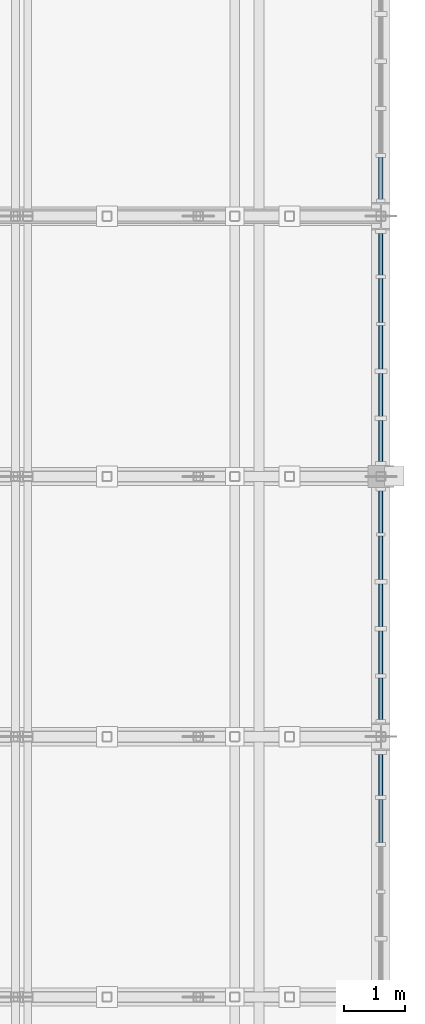
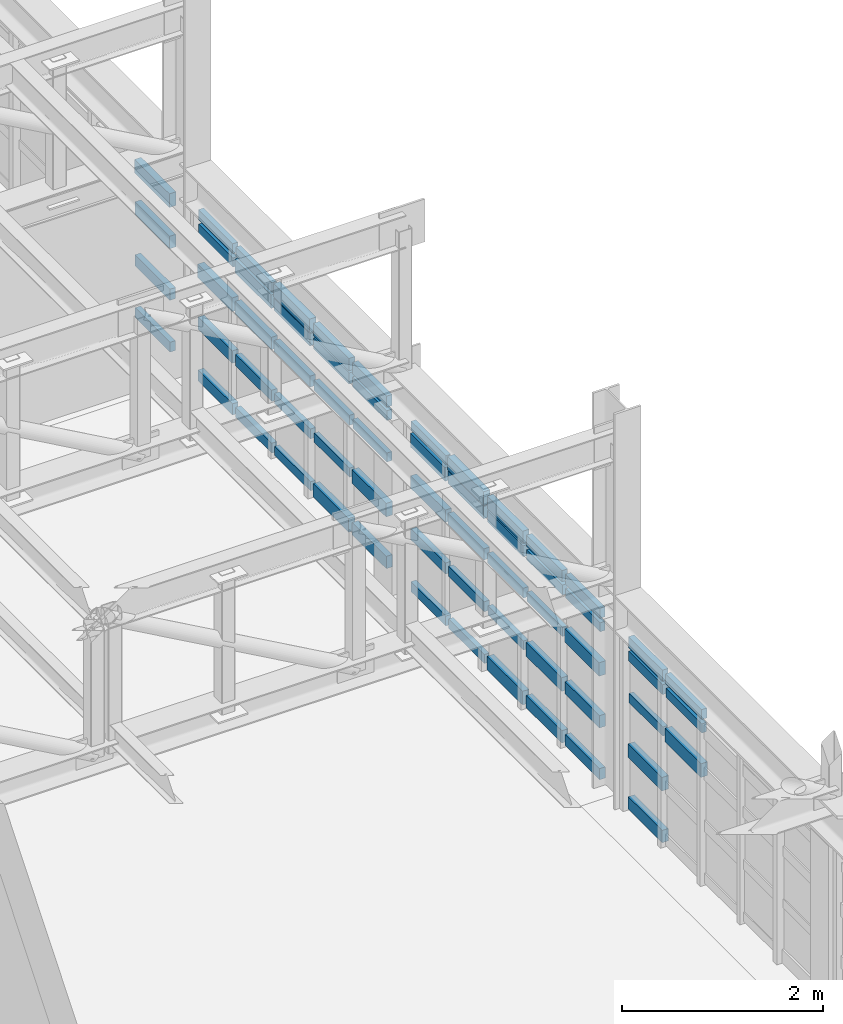
# One storey, part 80 of 128: 62 members, 4 elements without a shape of their own.
"""IFC4 building model written with IfcOpenShell, lengths in metres."""

from ifc_helpers import new_model, si_unit, direction, frame, origin, origin_2d, place, context, subcontext, project, spatial, rectangle, extrude, material, material_profile, profile_set, type_object, element, aggregate, save


model = new_model("IFC4")

# Units and contexts
model_context = context("Model", 3, precision=1e-05, world=origin(), true_north=direction((0.0, 1.0)))
body_context = subcontext(model_context, "Body", "Model", "MODEL_VIEW")
ifc_project = project(units=[si_unit("LENGTHUNIT", "METRE"), si_unit("AREAUNIT", "SQUARE_METRE"), si_unit("VOLUMEUNIT", "CUBIC_METRE"), si_unit("PLANEANGLEUNIT", "RADIAN"), si_unit("MASSUNIT", "GRAM", prefix="KILO")], contexts=[model_context])

# Site, building, storey
site_placement = place(None, origin())
site = spatial("IfcSite", under=ifc_project, at=site_placement, CompositionType="ELEMENT")
building_placement = place(site_placement, origin())
building = spatial("IfcBuilding", under=site, at=building_placement, Name="Serraforn Aerial Cableway Station", CompositionType="ELEMENT")
storey_placement = place(building_placement, frame((0.0, 0.0, 9.0)))
storey = spatial("IfcBuildingStorey", under=building, at=storey_placement, Name="L02", CompositionType="ELEMENT", Elevation=9.0)

# Curtain wall, members
ifc_material_1 = material(Name="Anodised bronze unitised curtain wall")
curtain_wall_type_1 = type_object("IfcCurtainWallType", Name="CW-SYS-2", PredefinedType="USERDEFINED", material=ifc_material_1)
curtain_wall_1_placement = place(storey_placement, origin())
curtain_wall_1 = element("IfcCurtainWall", 1, at=curtain_wall_1_placement, inside=storey, type_object=curtain_wall_type_1, Name="Unitised Curtain Wall CW-EG-L02-E4B", ObjectType="UNITISED CURTAIN WALL", PredefinedType="USERDEFINED")
ifc_material_2 = material(Name="Anodised bronze extruded aluminium", Category="aluminium")
ifc_material_profile_1 = material_profile(ifc_material_2, rectangle(XDim=0.054931640625, YDim=0.110107421875, at=origin_2d()), Name="CW TRANSOM 55x110")
ifc_profile_set_1 = profile_set([ifc_material_profile_1], Name="Anodised bronze extruded aluminium")
member_type_1 = type_object("IfcMemberType", Name="CW-TRN-1", PredefinedType="USERDEFINED", material=ifc_profile_set_1)
member_1_placement = place(storey_placement, frame((168.0, 78.05615234375, 1.865478515625), z_axis=(0.0, 1.0, 0.0), x_axis=(-1.0, 0.0, 0.0)))
member_1 = element("IfcMember", 2, at=member_1_placement, type_object=member_type_1, Name="Curtain Wall Transom CW-EG-L02-E4B-T4-4", ObjectType="TRANSOM", PredefinedType="USERDEFINED", context=body_context, shape_type="SweptSolid", body=[
    extrude(rectangle(XDim=0.054931640625, YDim=0.110107421875, at=origin_2d()), origin(), (0.0, 0.0, 1.0), 0.716064453125),
])
member_2_placement = place(storey_placement, frame((168.0, 78.8330078125, 1.356689453125), z_axis=(0.0, 1.0, 0.0), x_axis=(-1.0, 0.0, 0.0)))
member_2 = element("IfcMember", 3, at=member_2_placement, type_object=member_type_1, Name="Curtain Wall Transom CW-EG-L02-E4B-T5-3", ObjectType="TRANSOM", PredefinedType="USERDEFINED", context=body_context, shape_type="SweptSolid", body=[
    extrude(rectangle(XDim=0.054931640625, YDim=0.110107421875, at=origin_2d()), origin(), (0.0, 0.0, 1.0), 0.676025390625),
])

curtain_wall_type_2 = type_object("IfcCurtainWallType", Name="CW-SYS-5", PredefinedType="USERDEFINED", material=ifc_material_1)
curtain_wall_2_placement = place(storey_placement, origin())
curtain_wall_2 = element("IfcCurtainWall", 4, at=curtain_wall_2_placement, inside=storey, type_object=curtain_wall_type_2, Name="Unitised Curtain Wall CW-EG-L02-E5A", ObjectType="UNITISED CURTAIN WALL", PredefinedType="USERDEFINED")
member_3_placement = place(storey_placement, frame((168.0, 80.0810546875, 1.865478515625), z_axis=(0.0, 1.0, 0.0), x_axis=(-1.0, 0.0, 0.0)))
member_3 = element("IfcMember", 5, at=member_3_placement, type_object=member_type_1, Name="Curtain Wall Transom CW-EG-L02-E5A-T1-4", ObjectType="TRANSOM", PredefinedType="USERDEFINED", context=body_context, shape_type="SweptSolid", body=[
    extrude(rectangle(XDim=0.054931640625, YDim=0.110107421875, at=origin_2d()), origin(), (0.0, 0.0, 1.0), 0.685791015625),
])
member_4_placement = place(storey_placement, frame((168.0, 80.827880859375, 1.356689453125), z_axis=(0.0, 1.0, 0.0), x_axis=(-1.0, 0.0, 0.0)))
member_4 = element("IfcMember", 6, at=member_4_placement, type_object=member_type_1, Name="Curtain Wall Transom CW-EG-L02-E5A-T2-3", ObjectType="TRANSOM", PredefinedType="USERDEFINED", context=body_context, shape_type="SweptSolid", body=[
    extrude(rectangle(XDim=0.054931640625, YDim=0.110107421875, at=origin_2d()), origin(), (0.0, 0.0, 1.0), 0.7109375),
])
member_5_placement = place(storey_placement, frame((168.0, 81.604736328125, 0.720703125), z_axis=(0.0, 1.0, 0.0), x_axis=(-1.0, 0.0, 0.0)))
member_5 = element("IfcMember", 7, at=member_5_placement, type_object=member_type_1, Name="Curtain Wall Transom CW-EG-L02-E5A-T3-2", ObjectType="TRANSOM", PredefinedType="USERDEFINED", context=body_context, shape_type="SweptSolid", body=[
    extrude(rectangle(XDim=0.054931640625, YDim=0.110107421875, at=origin_2d()), origin(), (0.0, 0.0, 1.0), 0.7060546875),
])
member_6_placement = place(storey_placement, frame((168.0, 82.381591796875, 0.084716796875), z_axis=(0.0, 1.0, 0.0), x_axis=(-1.0, 0.0, 0.0)))
member_6 = element("IfcMember", 8, at=member_6_placement, type_object=member_type_1, Name="Curtain Wall Transom CW-EG-L02-E5A-T4-1", ObjectType="TRANSOM", PredefinedType="USERDEFINED", context=body_context, shape_type="SweptSolid", body=[
    extrude(rectangle(XDim=0.054931640625, YDim=0.110107421875, at=origin_2d()), origin(), (0.0, 0.0, 1.0), 0.713623046875),
])
member_7_placement = place(storey_placement, frame((168.0, 83.14599609375, 2.03515625), z_axis=(0.0, 1.0, 0.0), x_axis=(-1.0, 0.0, 0.0)))
member_7 = element("IfcMember", 9, at=member_7_placement, type_object=member_type_1, Name="Curtain Wall Transom CW-EG-L02-E5A-T5-5", ObjectType="TRANSOM", PredefinedType="USERDEFINED", context=body_context, shape_type="SweptSolid", body=[
    extrude(rectangle(XDim=0.054931640625, YDim=0.110107421875, at=origin_2d()), origin(), (0.0, 0.0, 1.0), 0.69091796875),
])

curtain_wall_type_3 = type_object("IfcCurtainWallType", Name="CW-SYS-6", PredefinedType="USERDEFINED", material=ifc_material_1)
curtain_wall_3_placement = place(storey_placement, origin())
curtain_wall_3 = element("IfcCurtainWall", 10, at=curtain_wall_3_placement, inside=storey, type_object=curtain_wall_type_3, Name="Unitised Curtain Wall CW-EG-L02-E5B", ObjectType="UNITISED CURTAIN WALL", PredefinedType="USERDEFINED")
member_8_placement = place(storey_placement, frame((168.0, 84.318115234375, 1.356689453125), z_axis=(0.0, 1.0, 0.0), x_axis=(-1.0, 0.0, 0.0)))
member_8 = element("IfcMember", 11, at=member_8_placement, type_object=member_type_1, Name="Curtain Wall Transom CW-EG-L02-E5B-T1-3", ObjectType="TRANSOM", PredefinedType="USERDEFINED", context=body_context, shape_type="SweptSolid", body=[
    extrude(rectangle(XDim=0.054931640625, YDim=0.110107421875, at=origin_2d()), origin(), (0.0, 0.0, 1.0), 0.67822265625),
])
member_9_placement = place(storey_placement, frame((168.0, 85.0625, 0.720703125), z_axis=(0.0, 1.0, 0.0), x_axis=(-1.0, 0.0, 0.0)))
member_9 = element("IfcMember", 12, at=member_9_placement, type_object=member_type_1, Name="Curtain Wall Transom CW-EG-L02-E5B-T2-2", ObjectType="TRANSOM", PredefinedType="USERDEFINED", context=body_context, shape_type="SweptSolid", body=[
    extrude(rectangle(XDim=0.054931640625, YDim=0.110107421875, at=origin_2d()), origin(), (0.0, 0.0, 1.0), 0.705810546875),
])
member_10_placement = place(storey_placement, frame((168.0, 85.83935546875, 0.084716796875), z_axis=(0.0, 1.0, 0.0), x_axis=(-1.0, 0.0, 0.0)))
member_10 = element("IfcMember", 13, at=member_10_placement, type_object=member_type_1, Name="Curtain Wall Transom CW-EG-L02-E5B-T3-1", ObjectType="TRANSOM", PredefinedType="USERDEFINED", context=body_context, shape_type="SweptSolid", body=[
    extrude(rectangle(XDim=0.054931640625, YDim=0.110107421875, at=origin_2d()), origin(), (0.0, 0.0, 1.0), 0.71337890625),
])
member_11_placement = place(storey_placement, frame((168.0, 86.603759765625, 2.03515625), z_axis=(0.0, 1.0, 0.0), x_axis=(-1.0, 0.0, 0.0)))
member_11 = element("IfcMember", 14, at=member_11_placement, type_object=member_type_1, Name="Curtain Wall Transom CW-EG-L02-E5B-T4-5", ObjectType="TRANSOM", PredefinedType="USERDEFINED", context=body_context, shape_type="SweptSolid", body=[
    extrude(rectangle(XDim=0.054931640625, YDim=0.110107421875, at=origin_2d()), origin(), (0.0, 0.0, 1.0), 0.720947265625),
])
member_12_placement = place(storey_placement, frame((168.0, 87.380615234375, 1.865478515625), z_axis=(0.0, 1.0, 0.0), x_axis=(-1.0, 0.0, 0.0)))
member_12 = element("IfcMember", 15, at=member_12_placement, type_object=member_type_1, Name="Curtain Wall Transom CW-EG-L02-E5B-T5-4", ObjectType="TRANSOM", PredefinedType="USERDEFINED", context=body_context, shape_type="SweptSolid", body=[
    extrude(rectangle(XDim=0.054931640625, YDim=0.110107421875, at=origin_2d()), origin(), (0.0, 0.0, 1.0), 0.683349609375),
])

# Member
ifc_material_profile_2 = material_profile(ifc_material_2, rectangle(XDim=0.06005859375, YDim=0.1201171875, at=origin_2d()), Name="CW TRANSOM 60x120")
ifc_profile_set_2 = profile_set([ifc_material_profile_2], Name="Anodised bronze extruded aluminium")
member_type_2 = type_object("IfcMemberType", Name="CW-TRN-2", PredefinedType="USERDEFINED", material=ifc_profile_set_2)
member_13_placement = place(storey_placement, frame((168.0, 78.05615234375, 2.03515625), z_axis=(0.0, 1.0, 0.0), x_axis=(-1.0, 0.0, 0.0)))
member_13 = element("IfcMember", 16, at=member_13_placement, type_object=member_type_2, Name="Curtain Wall Transom CW-EG-L02-E4B-T4-5", ObjectType="TRANSOM", PredefinedType="USERDEFINED", context=body_context, shape_type="SweptSolid", body=[
    extrude(rectangle(XDim=0.06005859375, YDim=0.1201171875, at=origin_2d()), origin(), (0.0, 0.0, 1.0), 0.716064453125),
])

member_14_placement = place(storey_placement, frame((168.0, 78.8330078125, 1.865478515625), z_axis=(0.0, 1.0, 0.0), x_axis=(-1.0, 0.0, 0.0)))
member_14 = element("IfcMember", 17, at=member_14_placement, type_object=member_type_2, Name="Curtain Wall Transom CW-EG-L02-E4B-T5-4", ObjectType="TRANSOM", PredefinedType="USERDEFINED", context=body_context, shape_type="SweptSolid", body=[
    extrude(rectangle(XDim=0.06005859375, YDim=0.1201171875, at=origin_2d()), origin(), (0.0, 0.0, 1.0), 0.676025390625),
])

member_15_placement = place(storey_placement, frame((168.0, 80.0810546875, 2.03515625), z_axis=(0.0, 1.0, 0.0), x_axis=(-1.0, 0.0, 0.0)))
member_15 = element("IfcMember", 18, at=member_15_placement, type_object=member_type_2, Name="Curtain Wall Transom CW-EG-L02-E5A-T1-5", ObjectType="TRANSOM", PredefinedType="USERDEFINED", context=body_context, shape_type="SweptSolid", body=[
    extrude(rectangle(XDim=0.06005859375, YDim=0.1201171875, at=origin_2d()), origin(), (0.0, 0.0, 1.0), 0.685791015625),
])

member_16_placement = place(storey_placement, frame((168.0, 80.827880859375, 1.865478515625), z_axis=(0.0, 1.0, 0.0), x_axis=(-1.0, 0.0, 0.0)))
member_16 = element("IfcMember", 19, at=member_16_placement, type_object=member_type_2, Name="Curtain Wall Transom CW-EG-L02-E5A-T2-4", ObjectType="TRANSOM", PredefinedType="USERDEFINED", context=body_context, shape_type="SweptSolid", body=[
    extrude(rectangle(XDim=0.06005859375, YDim=0.1201171875, at=origin_2d()), origin(), (0.0, 0.0, 1.0), 0.7109375),
])

member_17_placement = place(storey_placement, frame((168.0, 81.604736328125, 1.356689453125), z_axis=(0.0, 1.0, 0.0), x_axis=(-1.0, 0.0, 0.0)))
member_17 = element("IfcMember", 20, at=member_17_placement, type_object=member_type_2, Name="Curtain Wall Transom CW-EG-L02-E5A-T3-3", ObjectType="TRANSOM", PredefinedType="USERDEFINED", context=body_context, shape_type="SweptSolid", body=[
    extrude(rectangle(XDim=0.06005859375, YDim=0.1201171875, at=origin_2d()), origin(), (0.0, 0.0, 1.0), 0.7060546875),
])

member_18_placement = place(storey_placement, frame((168.0, 82.381591796875, 0.720703125), z_axis=(0.0, 1.0, 0.0), x_axis=(-1.0, 0.0, 0.0)))
member_18 = element("IfcMember", 21, at=member_18_placement, type_object=member_type_2, Name="Curtain Wall Transom CW-EG-L02-E5A-T4-2", ObjectType="TRANSOM", PredefinedType="USERDEFINED", context=body_context, shape_type="SweptSolid", body=[
    extrude(rectangle(XDim=0.06005859375, YDim=0.1201171875, at=origin_2d()), origin(), (0.0, 0.0, 1.0), 0.713623046875),
])

member_19_placement = place(storey_placement, frame((168.0, 83.14599609375, 0.084716796875), z_axis=(0.0, 1.0, 0.0), x_axis=(-1.0, 0.0, 0.0)))
member_19 = element("IfcMember", 22, at=member_19_placement, type_object=member_type_2, Name="Curtain Wall Transom CW-EG-L02-E5A-T5-1", ObjectType="TRANSOM", PredefinedType="USERDEFINED", context=body_context, shape_type="SweptSolid", body=[
    extrude(rectangle(XDim=0.06005859375, YDim=0.1201171875, at=origin_2d()), origin(), (0.0, 0.0, 1.0), 0.69091796875),
])

member_20_placement = place(storey_placement, frame((168.0, 84.318115234375, 1.865478515625), z_axis=(0.0, 1.0, 0.0), x_axis=(-1.0, 0.0, 0.0)))
member_20 = element("IfcMember", 23, at=member_20_placement, type_object=member_type_2, Name="Curtain Wall Transom CW-EG-L02-E5B-T1-4", ObjectType="TRANSOM", PredefinedType="USERDEFINED", context=body_context, shape_type="SweptSolid", body=[
    extrude(rectangle(XDim=0.06005859375, YDim=0.1201171875, at=origin_2d()), origin(), (0.0, 0.0, 1.0), 0.67822265625),
])

member_21_placement = place(storey_placement, frame((168.0, 85.0625, 1.356689453125), z_axis=(0.0, 1.0, 0.0), x_axis=(-1.0, 0.0, 0.0)))
member_21 = element("IfcMember", 24, at=member_21_placement, type_object=member_type_2, Name="Curtain Wall Transom CW-EG-L02-E5B-T2-3", ObjectType="TRANSOM", PredefinedType="USERDEFINED", context=body_context, shape_type="SweptSolid", body=[
    extrude(rectangle(XDim=0.06005859375, YDim=0.1201171875, at=origin_2d()), origin(), (0.0, 0.0, 1.0), 0.705810546875),
])

member_22_placement = place(storey_placement, frame((168.0, 85.83935546875, 0.720703125), z_axis=(0.0, 1.0, 0.0), x_axis=(-1.0, 0.0, 0.0)))
member_22 = element("IfcMember", 25, at=member_22_placement, type_object=member_type_2, Name="Curtain Wall Transom CW-EG-L02-E5B-T3-2", ObjectType="TRANSOM", PredefinedType="USERDEFINED", context=body_context, shape_type="SweptSolid", body=[
    extrude(rectangle(XDim=0.06005859375, YDim=0.1201171875, at=origin_2d()), origin(), (0.0, 0.0, 1.0), 0.71337890625),
])

member_23_placement = place(storey_placement, frame((168.0, 86.603759765625, 0.084716796875), z_axis=(0.0, 1.0, 0.0), x_axis=(-1.0, 0.0, 0.0)))
member_23 = element("IfcMember", 26, at=member_23_placement, type_object=member_type_2, Name="Curtain Wall Transom CW-EG-L02-E5B-T4-1", ObjectType="TRANSOM", PredefinedType="USERDEFINED", context=body_context, shape_type="SweptSolid", body=[
    extrude(rectangle(XDim=0.06005859375, YDim=0.1201171875, at=origin_2d()), origin(), (0.0, 0.0, 1.0), 0.720947265625),
])

member_24_placement = place(storey_placement, frame((168.0, 87.380615234375, 2.03515625), z_axis=(0.0, 1.0, 0.0), x_axis=(-1.0, 0.0, 0.0)))
member_24 = element("IfcMember", 27, at=member_24_placement, type_object=member_type_2, Name="Curtain Wall Transom CW-EG-L02-E5B-T5-5", ObjectType="TRANSOM", PredefinedType="USERDEFINED", context=body_context, shape_type="SweptSolid", body=[
    extrude(rectangle(XDim=0.06005859375, YDim=0.1201171875, at=origin_2d()), origin(), (0.0, 0.0, 1.0), 0.683349609375),
])

# Curtain wall, member
curtain_wall_type_4 = type_object("IfcCurtainWallType", Name="CW-SYS-9", PredefinedType="USERDEFINED", material=ifc_material_1)
curtain_wall_4_placement = place(storey_placement, origin())
curtain_wall_4 = element("IfcCurtainWall", 28, at=curtain_wall_4_placement, inside=storey, type_object=curtain_wall_type_4, Name="Unitised Curtain Wall CW-EG-L02-E6A", ObjectType="UNITISED CURTAIN WALL", PredefinedType="USERDEFINED")
member_25_placement = place(storey_placement, frame((168.0, 88.6259765625, 0.084716796875), z_axis=(0.0, 1.0, 0.0), x_axis=(-1.0, 0.0, 0.0)))
member_25 = element("IfcMember", 29, at=member_25_placement, type_object=member_type_2, Name="Curtain Wall Transom CW-EG-L02-E6A-T1-1", ObjectType="TRANSOM", PredefinedType="USERDEFINED", context=body_context, shape_type="SweptSolid", body=[
    extrude(rectangle(XDim=0.06005859375, YDim=0.1201171875, at=origin_2d()), origin(), (0.0, 0.0, 1.0), 0.693359375),
])

# Member
ifc_material_profile_3 = material_profile(ifc_material_2, rectangle(XDim=0.06494140625, YDim=0.135009765625, at=origin_2d()), Name="CW TRANSOM 65x135")
ifc_profile_set_3 = profile_set([ifc_material_profile_3], Name="Anodised bronze extruded aluminium")
member_type_3 = type_object("IfcMemberType", Name="CW-TRN-3", PredefinedType="USERDEFINED", material=ifc_profile_set_3)
member_26_placement = place(storey_placement, frame((168.0, 78.8330078125, 2.03515625), z_axis=(0.0, 1.0, 0.0), x_axis=(-1.0, 0.0, 0.0)))
member_26 = element("IfcMember", 30, at=member_26_placement, type_object=member_type_3, Name="Curtain Wall Transom CW-EG-L02-E4B-T5-5", ObjectType="TRANSOM", PredefinedType="USERDEFINED", context=body_context, shape_type="SweptSolid", body=[
    extrude(rectangle(XDim=0.06494140625, YDim=0.135009765625, at=origin_2d()), origin(), (0.0, 0.0, 1.0), 0.676025390625),
])

member_27_placement = place(storey_placement, frame((168.0, 80.0810546875, 0.084716796875), z_axis=(0.0, 1.0, 0.0), x_axis=(-1.0, 0.0, 0.0)))
member_27 = element("IfcMember", 31, at=member_27_placement, type_object=member_type_3, Name="Curtain Wall Transom CW-EG-L02-E5A-T1-1", ObjectType="TRANSOM", PredefinedType="USERDEFINED", context=body_context, shape_type="SweptSolid", body=[
    extrude(rectangle(XDim=0.06494140625, YDim=0.135009765625, at=origin_2d()), origin(), (0.0, 0.0, 1.0), 0.685791015625),
])

member_28_placement = place(storey_placement, frame((168.0, 80.827880859375, 2.03515625), z_axis=(0.0, 1.0, 0.0), x_axis=(-1.0, 0.0, 0.0)))
member_28 = element("IfcMember", 32, at=member_28_placement, type_object=member_type_3, Name="Curtain Wall Transom CW-EG-L02-E5A-T2-5", ObjectType="TRANSOM", PredefinedType="USERDEFINED", context=body_context, shape_type="SweptSolid", body=[
    extrude(rectangle(XDim=0.06494140625, YDim=0.135009765625, at=origin_2d()), origin(), (0.0, 0.0, 1.0), 0.7109375),
])

member_29_placement = place(storey_placement, frame((168.0, 81.604736328125, 1.865478515625), z_axis=(0.0, 1.0, 0.0), x_axis=(-1.0, 0.0, 0.0)))
member_29 = element("IfcMember", 33, at=member_29_placement, type_object=member_type_3, Name="Curtain Wall Transom CW-EG-L02-E5A-T3-4", ObjectType="TRANSOM", PredefinedType="USERDEFINED", context=body_context, shape_type="SweptSolid", body=[
    extrude(rectangle(XDim=0.06494140625, YDim=0.135009765625, at=origin_2d()), origin(), (0.0, 0.0, 1.0), 0.7060546875),
])

member_30_placement = place(storey_placement, frame((168.0, 82.381591796875, 1.356689453125), z_axis=(0.0, 1.0, 0.0), x_axis=(-1.0, 0.0, 0.0)))
member_30 = element("IfcMember", 34, at=member_30_placement, type_object=member_type_3, Name="Curtain Wall Transom CW-EG-L02-E5A-T4-3", ObjectType="TRANSOM", PredefinedType="USERDEFINED", context=body_context, shape_type="SweptSolid", body=[
    extrude(rectangle(XDim=0.06494140625, YDim=0.135009765625, at=origin_2d()), origin(), (0.0, 0.0, 1.0), 0.713623046875),
])

member_31_placement = place(storey_placement, frame((168.0, 83.14599609375, 0.720703125), z_axis=(0.0, 1.0, 0.0), x_axis=(-1.0, 0.0, 0.0)))
member_31 = element("IfcMember", 35, at=member_31_placement, type_object=member_type_3, Name="Curtain Wall Transom CW-EG-L02-E5A-T5-2", ObjectType="TRANSOM", PredefinedType="USERDEFINED", context=body_context, shape_type="SweptSolid", body=[
    extrude(rectangle(XDim=0.06494140625, YDim=0.135009765625, at=origin_2d()), origin(), (0.0, 0.0, 1.0), 0.69091796875),
])

member_32_placement = place(storey_placement, frame((168.0, 84.318115234375, 2.03515625), z_axis=(0.0, 1.0, 0.0), x_axis=(-1.0, 0.0, 0.0)))
member_32 = element("IfcMember", 36, at=member_32_placement, type_object=member_type_3, Name="Curtain Wall Transom CW-EG-L02-E5B-T1-5", ObjectType="TRANSOM", PredefinedType="USERDEFINED", context=body_context, shape_type="SweptSolid", body=[
    extrude(rectangle(XDim=0.06494140625, YDim=0.135009765625, at=origin_2d()), origin(), (0.0, 0.0, 1.0), 0.67822265625),
])

member_33_placement = place(storey_placement, frame((168.0, 85.0625, 1.865478515625), z_axis=(0.0, 1.0, 0.0), x_axis=(-1.0, 0.0, 0.0)))
member_33 = element("IfcMember", 37, at=member_33_placement, type_object=member_type_3, Name="Curtain Wall Transom CW-EG-L02-E5B-T2-4", ObjectType="TRANSOM", PredefinedType="USERDEFINED", context=body_context, shape_type="SweptSolid", body=[
    extrude(rectangle(XDim=0.06494140625, YDim=0.135009765625, at=origin_2d()), origin(), (0.0, 0.0, 1.0), 0.705810546875),
])

member_34_placement = place(storey_placement, frame((168.0, 85.83935546875, 1.356689453125), z_axis=(0.0, 1.0, 0.0), x_axis=(-1.0, 0.0, 0.0)))
member_34 = element("IfcMember", 38, at=member_34_placement, type_object=member_type_3, Name="Curtain Wall Transom CW-EG-L02-E5B-T3-3", ObjectType="TRANSOM", PredefinedType="USERDEFINED", context=body_context, shape_type="SweptSolid", body=[
    extrude(rectangle(XDim=0.06494140625, YDim=0.135009765625, at=origin_2d()), origin(), (0.0, 0.0, 1.0), 0.71337890625),
])

member_35_placement = place(storey_placement, frame((168.0, 86.603759765625, 0.720703125), z_axis=(0.0, 1.0, 0.0), x_axis=(-1.0, 0.0, 0.0)))
member_35 = element("IfcMember", 39, at=member_35_placement, type_object=member_type_3, Name="Curtain Wall Transom CW-EG-L02-E5B-T4-2", ObjectType="TRANSOM", PredefinedType="USERDEFINED", context=body_context, shape_type="SweptSolid", body=[
    extrude(rectangle(XDim=0.06494140625, YDim=0.135009765625, at=origin_2d()), origin(), (0.0, 0.0, 1.0), 0.720947265625),
])

member_36_placement = place(storey_placement, frame((168.0, 87.380615234375, 0.084716796875), z_axis=(0.0, 1.0, 0.0), x_axis=(-1.0, 0.0, 0.0)))
member_36 = element("IfcMember", 40, at=member_36_placement, type_object=member_type_3, Name="Curtain Wall Transom CW-EG-L02-E5B-T5-1", ObjectType="TRANSOM", PredefinedType="USERDEFINED", context=body_context, shape_type="SweptSolid", body=[
    extrude(rectangle(XDim=0.06494140625, YDim=0.135009765625, at=origin_2d()), origin(), (0.0, 0.0, 1.0), 0.683349609375),
])

member_37_placement = place(storey_placement, frame((168.0, 88.6259765625, 0.720703125), z_axis=(0.0, 1.0, 0.0), x_axis=(-1.0, 0.0, 0.0)))
member_37 = element("IfcMember", 41, at=member_37_placement, type_object=member_type_3, Name="Curtain Wall Transom CW-EG-L02-E6A-T1-2", ObjectType="TRANSOM", PredefinedType="USERDEFINED", context=body_context, shape_type="SweptSolid", body=[
    extrude(rectangle(XDim=0.06494140625, YDim=0.135009765625, at=origin_2d()), origin(), (0.0, 0.0, 1.0), 0.693359375),
])

ifc_material_profile_4 = material_profile(ifc_material_2, rectangle(XDim=0.070068359375, YDim=0.14990234375, at=origin_2d()), Name="CW TRANSOM 70x150")
ifc_profile_set_4 = profile_set([ifc_material_profile_4], Name="Anodised bronze extruded aluminium")
member_type_4 = type_object("IfcMemberType", Name="CW-TRN-4", PredefinedType="USERDEFINED", material=ifc_profile_set_4)
member_38_placement = place(storey_placement, frame((168.0, 78.8330078125, 0.084716796875), z_axis=(0.0, 1.0, 0.0), x_axis=(-1.0, 0.0, 0.0)))
member_38 = element("IfcMember", 42, at=member_38_placement, type_object=member_type_4, Name="Curtain Wall Transom CW-EG-L02-E4B-T5-1", ObjectType="TRANSOM", PredefinedType="USERDEFINED", context=body_context, shape_type="SweptSolid", body=[
    extrude(rectangle(XDim=0.070068359375, YDim=0.14990234375, at=origin_2d()), origin(), (0.0, 0.0, 1.0), 0.676025390625),
])

member_39_placement = place(storey_placement, frame((168.0, 80.0810546875, 0.720703125), z_axis=(0.0, 1.0, 0.0), x_axis=(-1.0, 0.0, 0.0)))
member_39 = element("IfcMember", 43, at=member_39_placement, type_object=member_type_4, Name="Curtain Wall Transom CW-EG-L02-E5A-T1-2", ObjectType="TRANSOM", PredefinedType="USERDEFINED", context=body_context, shape_type="SweptSolid", body=[
    extrude(rectangle(XDim=0.070068359375, YDim=0.14990234375, at=origin_2d()), origin(), (0.0, 0.0, 1.0), 0.685791015625),
])

member_40_placement = place(storey_placement, frame((168.0, 80.827880859375, 0.084716796875), z_axis=(0.0, 1.0, 0.0), x_axis=(-1.0, 0.0, 0.0)))
member_40 = element("IfcMember", 44, at=member_40_placement, type_object=member_type_4, Name="Curtain Wall Transom CW-EG-L02-E5A-T2-1", ObjectType="TRANSOM", PredefinedType="USERDEFINED", context=body_context, shape_type="SweptSolid", body=[
    extrude(rectangle(XDim=0.070068359375, YDim=0.14990234375, at=origin_2d()), origin(), (0.0, 0.0, 1.0), 0.7109375),
])

member_41_placement = place(storey_placement, frame((168.0, 81.604736328125, 2.03515625), z_axis=(0.0, 1.0, 0.0), x_axis=(-1.0, 0.0, 0.0)))
member_41 = element("IfcMember", 45, at=member_41_placement, type_object=member_type_4, Name="Curtain Wall Transom CW-EG-L02-E5A-T3-5", ObjectType="TRANSOM", PredefinedType="USERDEFINED", context=body_context, shape_type="SweptSolid", body=[
    extrude(rectangle(XDim=0.070068359375, YDim=0.14990234375, at=origin_2d()), origin(), (0.0, 0.0, 1.0), 0.7060546875),
])

member_42_placement = place(storey_placement, frame((168.0, 82.381591796875, 1.865478515625), z_axis=(0.0, 1.0, 0.0), x_axis=(-1.0, 0.0, 0.0)))
member_42 = element("IfcMember", 46, at=member_42_placement, type_object=member_type_4, Name="Curtain Wall Transom CW-EG-L02-E5A-T4-4", ObjectType="TRANSOM", PredefinedType="USERDEFINED", context=body_context, shape_type="SweptSolid", body=[
    extrude(rectangle(XDim=0.070068359375, YDim=0.14990234375, at=origin_2d()), origin(), (0.0, 0.0, 1.0), 0.713623046875),
])

member_43_placement = place(storey_placement, frame((168.0, 83.14599609375, 1.356689453125), z_axis=(0.0, 1.0, 0.0), x_axis=(-1.0, 0.0, 0.0)))
member_43 = element("IfcMember", 47, at=member_43_placement, type_object=member_type_4, Name="Curtain Wall Transom CW-EG-L02-E5A-T5-3", ObjectType="TRANSOM", PredefinedType="USERDEFINED", context=body_context, shape_type="SweptSolid", body=[
    extrude(rectangle(XDim=0.070068359375, YDim=0.14990234375, at=origin_2d()), origin(), (0.0, 0.0, 1.0), 0.69091796875),
])

member_44_placement = place(storey_placement, frame((168.0, 84.318115234375, 0.084716796875), z_axis=(0.0, 1.0, 0.0), x_axis=(-1.0, 0.0, 0.0)))
member_44 = element("IfcMember", 48, at=member_44_placement, type_object=member_type_4, Name="Curtain Wall Transom CW-EG-L02-E5B-T1-1", ObjectType="TRANSOM", PredefinedType="USERDEFINED", context=body_context, shape_type="SweptSolid", body=[
    extrude(rectangle(XDim=0.070068359375, YDim=0.14990234375, at=origin_2d()), origin(), (0.0, 0.0, 1.0), 0.67822265625),
])

member_45_placement = place(storey_placement, frame((168.0, 85.0625, 2.03515625), z_axis=(0.0, 1.0, 0.0), x_axis=(-1.0, 0.0, 0.0)))
member_45 = element("IfcMember", 49, at=member_45_placement, type_object=member_type_4, Name="Curtain Wall Transom CW-EG-L02-E5B-T2-5", ObjectType="TRANSOM", PredefinedType="USERDEFINED", context=body_context, shape_type="SweptSolid", body=[
    extrude(rectangle(XDim=0.070068359375, YDim=0.14990234375, at=origin_2d()), origin(), (0.0, 0.0, 1.0), 0.705810546875),
])

member_46_placement = place(storey_placement, frame((168.0, 85.83935546875, 1.865478515625), z_axis=(0.0, 1.0, 0.0), x_axis=(-1.0, 0.0, 0.0)))
member_46 = element("IfcMember", 50, at=member_46_placement, type_object=member_type_4, Name="Curtain Wall Transom CW-EG-L02-E5B-T3-4", ObjectType="TRANSOM", PredefinedType="USERDEFINED", context=body_context, shape_type="SweptSolid", body=[
    extrude(rectangle(XDim=0.070068359375, YDim=0.14990234375, at=origin_2d()), origin(), (0.0, 0.0, 1.0), 0.71337890625),
])

member_47_placement = place(storey_placement, frame((168.0, 86.603759765625, 1.356689453125), z_axis=(0.0, 1.0, 0.0), x_axis=(-1.0, 0.0, 0.0)))
member_47 = element("IfcMember", 51, at=member_47_placement, type_object=member_type_4, Name="Curtain Wall Transom CW-EG-L02-E5B-T4-3", ObjectType="TRANSOM", PredefinedType="USERDEFINED", context=body_context, shape_type="SweptSolid", body=[
    extrude(rectangle(XDim=0.070068359375, YDim=0.14990234375, at=origin_2d()), origin(), (0.0, 0.0, 1.0), 0.720947265625),
])

member_48_placement = place(storey_placement, frame((168.0, 87.380615234375, 0.720703125), z_axis=(0.0, 1.0, 0.0), x_axis=(-1.0, 0.0, 0.0)))
member_48 = element("IfcMember", 52, at=member_48_placement, type_object=member_type_4, Name="Curtain Wall Transom CW-EG-L02-E5B-T5-2", ObjectType="TRANSOM", PredefinedType="USERDEFINED", context=body_context, shape_type="SweptSolid", body=[
    extrude(rectangle(XDim=0.070068359375, YDim=0.14990234375, at=origin_2d()), origin(), (0.0, 0.0, 1.0), 0.683349609375),
])

member_49_placement = place(storey_placement, frame((168.0, 88.6259765625, 1.356689453125), z_axis=(0.0, 1.0, 0.0), x_axis=(-1.0, 0.0, 0.0)))
member_49 = element("IfcMember", 53, at=member_49_placement, type_object=member_type_4, Name="Curtain Wall Transom CW-EG-L02-E6A-T1-3", ObjectType="TRANSOM", PredefinedType="USERDEFINED", context=body_context, shape_type="SweptSolid", body=[
    extrude(rectangle(XDim=0.070068359375, YDim=0.14990234375, at=origin_2d()), origin(), (0.0, 0.0, 1.0), 0.693359375),
])

ifc_material_profile_5 = material_profile(ifc_material_2, rectangle(XDim=0.074951171875, YDim=0.1650390625, at=origin_2d()), Name="CW TRANSOM 75x165")
ifc_profile_set_5 = profile_set([ifc_material_profile_5], Name="Anodised bronze extruded aluminium")
member_type_5 = type_object("IfcMemberType", Name="CW-TRN-5", PredefinedType="USERDEFINED", material=ifc_profile_set_5)
member_50_placement = place(storey_placement, frame((168.0, 78.05615234375, 1.356689453125), z_axis=(0.0, 1.0, 0.0), x_axis=(-1.0, 0.0, 0.0)))
member_50 = element("IfcMember", 54, at=member_50_placement, type_object=member_type_5, Name="Curtain Wall Transom CW-EG-L02-E4B-T4-3", ObjectType="TRANSOM", PredefinedType="USERDEFINED", context=body_context, shape_type="SweptSolid", body=[
    extrude(rectangle(XDim=0.074951171875, YDim=0.1650390625, at=origin_2d()), origin(), (0.0, 0.0, 1.0), 0.716064453125),
])

member_51_placement = place(storey_placement, frame((168.0, 78.8330078125, 0.720703125), z_axis=(0.0, 1.0, 0.0), x_axis=(-1.0, 0.0, 0.0)))
member_51 = element("IfcMember", 55, at=member_51_placement, type_object=member_type_5, Name="Curtain Wall Transom CW-EG-L02-E4B-T5-2", ObjectType="TRANSOM", PredefinedType="USERDEFINED", context=body_context, shape_type="SweptSolid", body=[
    extrude(rectangle(XDim=0.074951171875, YDim=0.1650390625, at=origin_2d()), origin(), (0.0, 0.0, 1.0), 0.676025390625),
])

aggregate(curtain_wall_1, [member_50, member_1, member_13, member_38, member_51, member_2, member_14, member_26])

member_52_placement = place(storey_placement, frame((168.0, 80.0810546875, 1.356689453125), z_axis=(0.0, 1.0, 0.0), x_axis=(-1.0, 0.0, 0.0)))
member_52 = element("IfcMember", 56, at=member_52_placement, type_object=member_type_5, Name="Curtain Wall Transom CW-EG-L02-E5A-T1-3", ObjectType="TRANSOM", PredefinedType="USERDEFINED", context=body_context, shape_type="SweptSolid", body=[
    extrude(rectangle(XDim=0.074951171875, YDim=0.1650390625, at=origin_2d()), origin(), (0.0, 0.0, 1.0), 0.685791015625),
])

member_53_placement = place(storey_placement, frame((168.0, 80.827880859375, 0.720703125), z_axis=(0.0, 1.0, 0.0), x_axis=(-1.0, 0.0, 0.0)))
member_53 = element("IfcMember", 57, at=member_53_placement, type_object=member_type_5, Name="Curtain Wall Transom CW-EG-L02-E5A-T2-2", ObjectType="TRANSOM", PredefinedType="USERDEFINED", context=body_context, shape_type="SweptSolid", body=[
    extrude(rectangle(XDim=0.074951171875, YDim=0.1650390625, at=origin_2d()), origin(), (0.0, 0.0, 1.0), 0.7109375),
])

member_54_placement = place(storey_placement, frame((168.0, 81.604736328125, 0.084716796875), z_axis=(0.0, 1.0, 0.0), x_axis=(-1.0, 0.0, 0.0)))
member_54 = element("IfcMember", 58, at=member_54_placement, type_object=member_type_5, Name="Curtain Wall Transom CW-EG-L02-E5A-T3-1", ObjectType="TRANSOM", PredefinedType="USERDEFINED", context=body_context, shape_type="SweptSolid", body=[
    extrude(rectangle(XDim=0.074951171875, YDim=0.1650390625, at=origin_2d()), origin(), (0.0, 0.0, 1.0), 0.7060546875),
])

member_55_placement = place(storey_placement, frame((168.0, 82.381591796875, 2.03515625), z_axis=(0.0, 1.0, 0.0), x_axis=(-1.0, 0.0, 0.0)))
member_55 = element("IfcMember", 59, at=member_55_placement, type_object=member_type_5, Name="Curtain Wall Transom CW-EG-L02-E5A-T4-5", ObjectType="TRANSOM", PredefinedType="USERDEFINED", context=body_context, shape_type="SweptSolid", body=[
    extrude(rectangle(XDim=0.074951171875, YDim=0.1650390625, at=origin_2d()), origin(), (0.0, 0.0, 1.0), 0.713623046875),
])

member_56_placement = place(storey_placement, frame((168.0, 83.14599609375, 1.865478515625), z_axis=(0.0, 1.0, 0.0), x_axis=(-1.0, 0.0, 0.0)))
member_56 = element("IfcMember", 60, at=member_56_placement, type_object=member_type_5, Name="Curtain Wall Transom CW-EG-L02-E5A-T5-4", ObjectType="TRANSOM", PredefinedType="USERDEFINED", context=body_context, shape_type="SweptSolid", body=[
    extrude(rectangle(XDim=0.074951171875, YDim=0.1650390625, at=origin_2d()), origin(), (0.0, 0.0, 1.0), 0.69091796875),
])

aggregate(curtain_wall_2, [member_27, member_39, member_52, member_3, member_15, member_40, member_53, member_4, member_16, member_28, member_54, member_5, member_17, member_29, member_41, member_6, member_18, member_30, member_42, member_55, member_19, member_31, member_43, member_56, member_7])

member_57_placement = place(storey_placement, frame((168.0, 84.318115234375, 0.720703125), z_axis=(0.0, 1.0, 0.0), x_axis=(-1.0, 0.0, 0.0)))
member_57 = element("IfcMember", 61, at=member_57_placement, type_object=member_type_5, Name="Curtain Wall Transom CW-EG-L02-E5B-T1-2", ObjectType="TRANSOM", PredefinedType="USERDEFINED", context=body_context, shape_type="SweptSolid", body=[
    extrude(rectangle(XDim=0.074951171875, YDim=0.1650390625, at=origin_2d()), origin(), (0.0, 0.0, 1.0), 0.67822265625),
])

member_58_placement = place(storey_placement, frame((168.0, 85.0625, 0.084716796875), z_axis=(0.0, 1.0, 0.0), x_axis=(-1.0, 0.0, 0.0)))
member_58 = element("IfcMember", 62, at=member_58_placement, type_object=member_type_5, Name="Curtain Wall Transom CW-EG-L02-E5B-T2-1", ObjectType="TRANSOM", PredefinedType="USERDEFINED", context=body_context, shape_type="SweptSolid", body=[
    extrude(rectangle(XDim=0.074951171875, YDim=0.1650390625, at=origin_2d()), origin(), (0.0, 0.0, 1.0), 0.705810546875),
])

member_59_placement = place(storey_placement, frame((168.0, 85.83935546875, 2.03515625), z_axis=(0.0, 1.0, 0.0), x_axis=(-1.0, 0.0, 0.0)))
member_59 = element("IfcMember", 63, at=member_59_placement, type_object=member_type_5, Name="Curtain Wall Transom CW-EG-L02-E5B-T3-5", ObjectType="TRANSOM", PredefinedType="USERDEFINED", context=body_context, shape_type="SweptSolid", body=[
    extrude(rectangle(XDim=0.074951171875, YDim=0.1650390625, at=origin_2d()), origin(), (0.0, 0.0, 1.0), 0.71337890625),
])

member_60_placement = place(storey_placement, frame((168.0, 86.603759765625, 1.865478515625), z_axis=(0.0, 1.0, 0.0), x_axis=(-1.0, 0.0, 0.0)))
member_60 = element("IfcMember", 64, at=member_60_placement, type_object=member_type_5, Name="Curtain Wall Transom CW-EG-L02-E5B-T4-4", ObjectType="TRANSOM", PredefinedType="USERDEFINED", context=body_context, shape_type="SweptSolid", body=[
    extrude(rectangle(XDim=0.074951171875, YDim=0.1650390625, at=origin_2d()), origin(), (0.0, 0.0, 1.0), 0.720947265625),
])

member_61_placement = place(storey_placement, frame((168.0, 87.380615234375, 1.356689453125), z_axis=(0.0, 1.0, 0.0), x_axis=(-1.0, 0.0, 0.0)))
member_61 = element("IfcMember", 65, at=member_61_placement, type_object=member_type_5, Name="Curtain Wall Transom CW-EG-L02-E5B-T5-3", ObjectType="TRANSOM", PredefinedType="USERDEFINED", context=body_context, shape_type="SweptSolid", body=[
    extrude(rectangle(XDim=0.074951171875, YDim=0.1650390625, at=origin_2d()), origin(), (0.0, 0.0, 1.0), 0.683349609375),
])

aggregate(curtain_wall_3, [member_44, member_57, member_8, member_20, member_32, member_58, member_9, member_21, member_33, member_45, member_10, member_22, member_34, member_46, member_59, member_23, member_35, member_47, member_60, member_11, member_36, member_48, member_61, member_12, member_24])

member_62_placement = place(storey_placement, frame((168.0, 88.6259765625, 1.865478515625), z_axis=(0.0, 1.0, 0.0), x_axis=(-1.0, 0.0, 0.0)))
member_62 = element("IfcMember", 66, at=member_62_placement, type_object=member_type_5, Name="Curtain Wall Transom CW-EG-L02-E6A-T1-4", ObjectType="TRANSOM", PredefinedType="USERDEFINED", context=body_context, shape_type="SweptSolid", body=[
    extrude(rectangle(XDim=0.074951171875, YDim=0.1650390625, at=origin_2d()), origin(), (0.0, 0.0, 1.0), 0.693359375),
])

aggregate(curtain_wall_4, [member_25, member_37, member_49, member_62])

save(model, "model.ifc")
